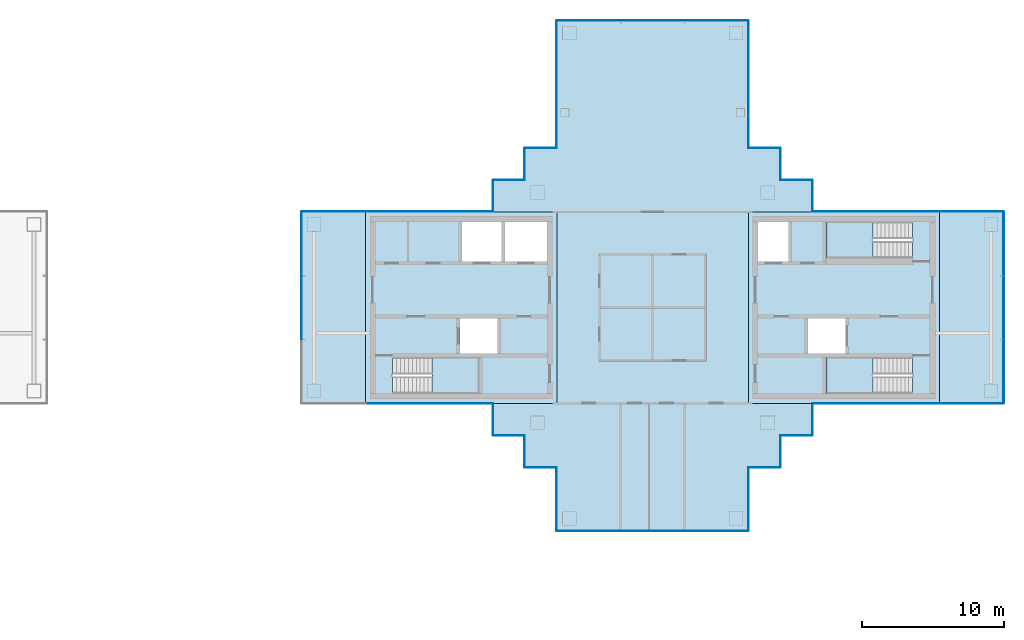
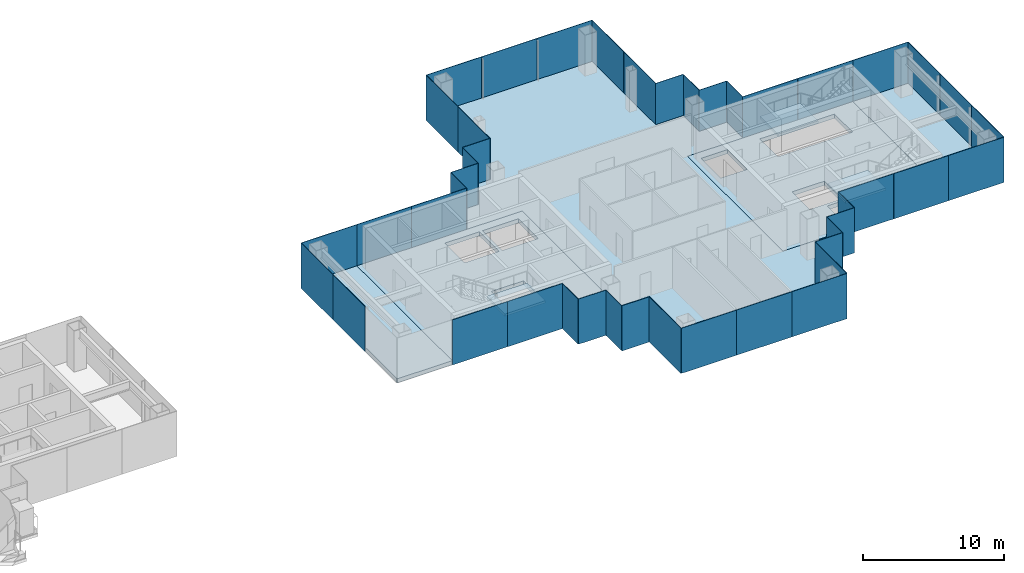
# One storey, part 7 of 15: 44 plates, 8 slabs, 22 elements without a shape of their own.
"""IFC4 building model written with IfcOpenShell, lengths in metres."""

from ifc_helpers import new_model, si_unit, direction, frame, origin, origin_2d, place, context, subcontext, project, spatial, polyline, rectangle, outline, extrude, material, layer, layer_set, type_object, element, aggregate, save


model = new_model("IFC4")

# Units and contexts
model_context = context("Model", 3, precision=1e-05, world=origin(), true_north=direction((0.0, 1.0)))
body_context = subcontext(model_context, "Body", "Model", "MODEL_VIEW")
ifc_project = project(units=[si_unit("LENGTHUNIT", "METRE"), si_unit("AREAUNIT", "SQUARE_METRE"), si_unit("VOLUMEUNIT", "CUBIC_METRE"), si_unit("PLANEANGLEUNIT", "RADIAN"), si_unit("MASSUNIT", "GRAM", prefix="KILO")], contexts=[model_context])

# Site, building, storey
site_placement = place(None, origin())
site = spatial("IfcSite", under=ifc_project, at=site_placement, CompositionType="ELEMENT")
building_placement = place(site_placement, origin())
building = spatial("IfcBuilding", under=site, at=building_placement, Name="Shamsa Quay Exchange Towers", CompositionType="ELEMENT")
storey_placement = place(building_placement, frame((0.0, 0.0, 206.10009765625)))
storey = spatial("IfcBuildingStorey", under=building, at=storey_placement, Name="L49", CompositionType="ELEMENT", Elevation=206.10009765625)

# Slabs
ifc_material_1 = material(Name="Concrete C50/60", Category="concrete")
ifc_layer_1 = layer(ifc_material_1, 0.35009765625)
ifc_layer_set_1 = layer_set([ifc_layer_1], Name="CORE FLOOR 350 C50/60")
slab_type_1 = type_object("IfcSlabType", Name="CORE FLOOR 350 C50/60", PredefinedType="FLOOR", material=ifc_layer_set_1)
slab_1_placement = place(storey_placement, frame((0.0, 0.0, -0.35009765625)))
element("IfcSlab", 1, at=slab_1_placement, inside=storey, type_object=slab_type_1, Name="Core floor T2A", PredefinedType="FLOOR", context=body_context, shape_type="SweptSolid", body=[
    extrude(outline(polyline([(13.5, -6.75), (27.0, -6.75), (27.0, 6.75), (13.5, 6.75), (13.5, -6.75)]), holes=[polyline([(15.400634765625, -6.050048828125), (15.400634765625, -3.5), (21.5, -3.5), (21.5, -6.050048828125), (15.400634765625, -6.050048828125)]), polyline([(20.300048828125, 3.25), (20.300048828125, 6.050048828125), (23.10009765625, 6.050048828125), (23.10009765625, 3.25), (20.300048828125, 3.25)]), polyline([(23.35009765625, 3.25), (23.35009765625, 6.050048828125), (26.300048828125, 6.050048828125), (26.300048828125, 3.25), (23.35009765625, 3.25)]), polyline([(20.14990234375, -3.25), (20.14990234375, -0.75), (22.800048828125, -0.75), (22.800048828125, -3.25), (20.14990234375, -3.25)])]), origin(), (0.0, 0.0, 1.0), 0.35009765625),
])
slab_2_placement = place(storey_placement, frame((0.0, 0.0, -0.35009765625)))
element("IfcSlab", 2, at=slab_2_placement, inside=storey, type_object=slab_type_1, Name="Core floor T2B", PredefinedType="FLOOR", context=body_context, shape_type="SweptSolid", body=[
    extrude(outline(polyline([(54.0, -6.75), (54.0, 6.75), (40.5, 6.75), (40.5, -6.75), (54.0, -6.75)]), holes=[polyline([(52.099365234375, -3.5), (52.099365234375, -6.050048828125), (46.0, -6.050048828125), (46.0, -3.5), (52.099365234375, -3.5)]), polyline([(52.099365234375, 6.050048828125), (52.099365234375, 3.5), (46.0, 3.5), (46.0, 6.050048828125), (52.099365234375, 6.050048828125)]), polyline([(43.35009765625, 3.25), (41.199951171875, 3.25), (41.199951171875, 6.050048828125), (43.35009765625, 6.050048828125), (43.35009765625, 3.25)]), polyline([(47.35009765625, -3.25), (44.699951171875, -3.25), (44.699951171875, -0.75), (47.35009765625, -0.75), (47.35009765625, -3.25)])]), origin(), (0.0, 0.0, 1.0), 0.35009765625),
])

# Stair, slab
ifc_material_2 = material(Name="Concrete C40/50", Category="concrete")
stair_type = type_object("IfcStairType", Name="EXIT STAIR 22 RISERS 177 MM", PredefinedType="HALF_TURN_STAIR", material=ifc_material_2)
stair_1_placement = place(storey_placement, origin())
stair_1 = element("IfcStair", 3, at=stair_1_placement, inside=storey, type_object=stair_type, Name="L49 Exit stair ST4", PredefinedType="HALF_TURN_STAIR")
ifc_layer_2 = layer(ifc_material_2, 0.199951171875)
ifc_layer_set_2 = layer_set([ifc_layer_2], Name="CORE STAIR LANDING")
slab_type_2 = type_object("IfcSlabType", Name="CORE STAIR LANDING", PredefinedType="LANDING", material=ifc_layer_set_2)
slab_3_placement = place(storey_placement, frame((0.0, 0.0, 1.75)))
slab_3 = element("IfcSlab", 4, at=slab_3_placement, type_object=slab_type_2, Name="ST4 landing 1", PredefinedType="LANDING", context=body_context, shape_type="SweptSolid", body=[
    extrude(outline(polyline([(18.199951171875, -6.050048828125), (21.5, -6.050048828125), (21.5, -3.5), (18.199951171875, -3.5), (18.199951171875, -6.050048828125)])), origin(), (0.0, 0.0, 1.0), 0.199951171875),
])
aggregate(stair_1, [slab_3])

stair_2_placement = place(storey_placement, origin())
stair_2 = element("IfcStair", 5, at=stair_2_placement, inside=storey, type_object=stair_type, Name="L49 Exit stair ST5", PredefinedType="HALF_TURN_STAIR")
slab_4_placement = place(storey_placement, frame((0.0, 0.0, 1.75)))
slab_4 = element("IfcSlab", 6, at=slab_4_placement, type_object=slab_type_2, Name="ST5 landing 1", PredefinedType="LANDING", context=body_context, shape_type="SweptSolid", body=[
    extrude(outline(polyline([(49.300048828125, -3.5), (46.0, -3.5), (46.0, -6.050048828125), (49.300048828125, -6.050048828125), (49.300048828125, -3.5)])), origin(), (0.0, 0.0, 1.0), 0.199951171875),
])
aggregate(stair_2, [slab_4])

stair_3_placement = place(storey_placement, origin())
stair_3 = element("IfcStair", 7, at=stair_3_placement, inside=storey, type_object=stair_type, Name="L49 Exit stair ST6", PredefinedType="HALF_TURN_STAIR")
slab_5_placement = place(storey_placement, frame((0.0, 0.0, 1.75)))
slab_5 = element("IfcSlab", 8, at=slab_5_placement, type_object=slab_type_2, Name="ST6 landing 1", PredefinedType="LANDING", context=body_context, shape_type="SweptSolid", body=[
    extrude(outline(polyline([(49.300048828125, 6.050048828125), (46.0, 6.050048828125), (46.0, 3.5), (49.300048828125, 3.5), (49.300048828125, 6.050048828125)])), origin(), (0.0, 0.0, 1.0), 0.199951171875),
])
aggregate(stair_3, [slab_5])

# Curtain wall, plate
ifc_material_3 = material(Name="Aluminium EN AW-6063 T6, black anodised", Category="aluminium")
ifc_layer_3 = layer(ifc_material_3, 0.280029296875)
ifc_layer_set_3 = layer_set([ifc_layer_3], Name="CW-1 UNITISED VISION GLASS")
curtain_wall_type_1 = type_object("IfcCurtainWallType", Name="CW-1 UNITISED VISION GLASS", PredefinedType="NOTDEFINED", material=ifc_layer_set_3)
curtain_wall_1_placement = place(storey_placement, origin())
curtain_wall_1 = element("IfcCurtainWall", 9, at=curtain_wall_1_placement, inside=storey, type_object=curtain_wall_type_1, Name="CW1 T2-FLK-V-W L49", PredefinedType="NOTDEFINED")
ifc_material_4 = material(Name="Glass, laminated, dark tinted", Category="glass")
ifc_layer_4 = layer(ifc_material_4, 0.0400390625)
ifc_layer_set_4 = layer_set([ifc_layer_4], Name="CW-1 VISION GLASS 40")
plate_type_1 = type_object("IfcPlateType", Name="CW-1 VISION GLASS 40", PredefinedType="CURTAIN_PANEL", material=ifc_layer_set_4)
plate_1_placement = place(storey_placement, frame((56.25, -6.77001953125, -0.35009765625)))
plate_1 = element("IfcPlate", 10, at=plate_1_placement, type_object=plate_type_1, Name="CW1 glass panel", PredefinedType="CURTAIN_PANEL", context=body_context, shape_type="SweptSolid", body=[
    extrude(rectangle(XDim=4.5, YDim=0.0400390625, at=origin_2d()), origin(), (0.0, 0.0, 1.0), 3.89990234375),
])
aggregate(curtain_wall_1, [plate_1])

# Curtain wall, plates
curtain_wall_2_placement = place(storey_placement, origin())
curtain_wall_2 = element("IfcCurtainWall", 11, at=curtain_wall_2_placement, inside=storey, type_object=curtain_wall_type_1, Name="CW1 T2-END-V- L49", PredefinedType="NOTDEFINED")
plate_2_placement = place(storey_placement, frame((58.52001953125, -4.50244140625, -0.35009765625), z_axis=(0.0, 0.0, 1.0), x_axis=(0.0, 1.0, 0.0)))
plate_2 = element("IfcPlate", 12, at=plate_2_placement, type_object=plate_type_1, Name="CW1 glass panel", PredefinedType="CURTAIN_PANEL", context=body_context, shape_type="SweptSolid", body=[
    extrude(rectangle(XDim=4.4951171875, YDim=0.0400390625, at=origin_2d()), origin(), (0.0, 0.0, 1.0), 3.89990234375),
])
plate_3_placement = place(storey_placement, frame((58.52001953125, 0.0, -0.35009765625), z_axis=(0.0, 0.0, 1.0), x_axis=(0.0, 1.0, 0.0)))
plate_3 = element("IfcPlate", 13, at=plate_3_placement, type_object=plate_type_1, Name="CW1 glass panel", PredefinedType="CURTAIN_PANEL", context=body_context, shape_type="SweptSolid", body=[
    extrude(rectangle(XDim=4.489990234375, YDim=0.0400390625, at=origin_2d()), origin(), (0.0, 0.0, 1.0), 3.89990234375),
])
plate_4_placement = place(storey_placement, frame((58.52001953125, 4.50244140625, -0.35009765625), z_axis=(0.0, 0.0, 1.0), x_axis=(0.0, 1.0, 0.0)))
plate_4 = element("IfcPlate", 14, at=plate_4_placement, type_object=plate_type_1, Name="CW1 glass panel", PredefinedType="CURTAIN_PANEL", context=body_context, shape_type="SweptSolid", body=[
    extrude(rectangle(XDim=4.4951171875, YDim=0.0400390625, at=origin_2d()), origin(), (0.0, 0.0, 1.0), 3.89990234375),
])
aggregate(curtain_wall_2, [plate_2, plate_3, plate_4])

# Curtain wall, plate
curtain_wall_3_placement = place(storey_placement, origin())
curtain_wall_3 = element("IfcCurtainWall", 15, at=curtain_wall_3_placement, inside=storey, type_object=curtain_wall_type_1, Name="CW1 T2-FLK-V-E L49", PredefinedType="NOTDEFINED")
plate_5_placement = place(storey_placement, frame((56.25, 6.77001953125, -0.35009765625), z_axis=(0.0, 0.0, 1.0), x_axis=(-1.0, 0.0, 0.0)))
plate_5 = element("IfcPlate", 16, at=plate_5_placement, type_object=plate_type_1, Name="CW1 glass panel", PredefinedType="CURTAIN_PANEL", context=body_context, shape_type="SweptSolid", body=[
    extrude(rectangle(XDim=4.5, YDim=0.0400390625, at=origin_2d()), origin(), (0.0, 0.0, 1.0), 3.89990234375),
])
aggregate(curtain_wall_3, [plate_5])

# Curtain wall, plates
curtain_wall_4_placement = place(storey_placement, origin())
curtain_wall_4 = element("IfcCurtainWall", 17, at=curtain_wall_4_placement, inside=storey, type_object=curtain_wall_type_1, Name="CW1 T2-FLK-U+S L49", PredefinedType="NOTDEFINED")
plate_6_placement = place(storey_placement, frame((40.52001953125, 13.52587890625, -0.35009765625), z_axis=(0.0, 0.0, 1.0), x_axis=(0.0, 1.0, 0.0)))
plate_6 = element("IfcPlate", 18, at=plate_6_placement, type_object=plate_type_1, Name="CW1 glass panel", PredefinedType="CURTAIN_PANEL", context=body_context, shape_type="SweptSolid", body=[
    extrude(rectangle(XDim=4.47607421875, YDim=0.0400390625, at=origin_2d()), origin(), (0.0, 0.0, 1.0), 3.89990234375),
])
plate_7_placement = place(storey_placement, frame((40.52001953125, 18.011962890625, -0.35009765625), z_axis=(0.0, 0.0, 1.0), x_axis=(0.0, 1.0, 0.0)))
plate_7 = element("IfcPlate", 19, at=plate_7_placement, type_object=plate_type_1, Name="CW1 glass panel", PredefinedType="CURTAIN_PANEL", context=body_context, shape_type="SweptSolid", body=[
    extrude(rectangle(XDim=4.47607421875, YDim=0.0400390625, at=origin_2d()), origin(), (0.0, 0.0, 1.0), 3.89990234375),
])
aggregate(curtain_wall_4, [plate_6, plate_7])

curtain_wall_5_placement = place(storey_placement, origin())
curtain_wall_5 = element("IfcCurtainWall", 20, at=curtain_wall_5_placement, inside=storey, type_object=curtain_wall_type_1, Name="CW1 T2-END-U+ L49", PredefinedType="NOTDEFINED")
plate_8_placement = place(storey_placement, frame((38.25244140625, 20.27001953125, -0.35009765625), z_axis=(0.0, 0.0, 1.0), x_axis=(-1.0, 0.0, 0.0)))
plate_8 = element("IfcPlate", 21, at=plate_8_placement, type_object=plate_type_1, Name="CW1 glass panel", PredefinedType="CURTAIN_PANEL", context=body_context, shape_type="SweptSolid", body=[
    extrude(rectangle(XDim=4.4951171875, YDim=0.0400390625, at=origin_2d()), origin(), (0.0, 0.0, 1.0), 3.89990234375),
])
plate_9_placement = place(storey_placement, frame((33.75, 20.27001953125, -0.35009765625), z_axis=(0.0, 0.0, 1.0), x_axis=(-1.0, 0.0, 0.0)))
plate_9 = element("IfcPlate", 22, at=plate_9_placement, type_object=plate_type_1, Name="CW1 glass panel", PredefinedType="CURTAIN_PANEL", context=body_context, shape_type="SweptSolid", body=[
    extrude(rectangle(XDim=4.489990234375, YDim=0.0400390625, at=origin_2d()), origin(), (0.0, 0.0, 1.0), 3.89990234375),
])
plate_10_placement = place(storey_placement, frame((29.24755859375, 20.27001953125, -0.35009765625), z_axis=(0.0, 0.0, 1.0), x_axis=(-1.0, 0.0, 0.0)))
plate_10 = element("IfcPlate", 23, at=plate_10_placement, type_object=plate_type_1, Name="CW1 glass panel", PredefinedType="CURTAIN_PANEL", context=body_context, shape_type="SweptSolid", body=[
    extrude(rectangle(XDim=4.4951171875, YDim=0.0400390625, at=origin_2d()), origin(), (0.0, 0.0, 1.0), 3.89990234375),
])
aggregate(curtain_wall_5, [plate_8, plate_9, plate_10])

curtain_wall_6_placement = place(storey_placement, origin())
curtain_wall_6 = element("IfcCurtainWall", 24, at=curtain_wall_6_placement, inside=storey, type_object=curtain_wall_type_1, Name="CW1 T2-FLK-U+N L49", PredefinedType="NOTDEFINED")
plate_11_placement = place(storey_placement, frame((26.97998046875, 18.00244140625, -0.35009765625), z_axis=(0.0, 0.0, 1.0), x_axis=(0.0, -1.0, 0.0)))
plate_11 = element("IfcPlate", 25, at=plate_11_placement, type_object=plate_type_1, Name="CW1 glass panel", PredefinedType="CURTAIN_PANEL", context=body_context, shape_type="SweptSolid", body=[
    extrude(rectangle(XDim=4.4951171875, YDim=0.0400390625, at=origin_2d()), origin(), (0.0, 0.0, 1.0), 3.89990234375),
])
plate_12_placement = place(storey_placement, frame((26.97998046875, 13.49755859375, -0.35009765625), z_axis=(0.0, 0.0, 1.0), x_axis=(0.0, -1.0, 0.0)))
plate_12 = element("IfcPlate", 26, at=plate_12_placement, type_object=plate_type_1, Name="CW1 glass panel", PredefinedType="CURTAIN_PANEL", context=body_context, shape_type="SweptSolid", body=[
    extrude(rectangle(XDim=4.4951171875, YDim=0.0400390625, at=origin_2d()), origin(), (0.0, 0.0, 1.0), 3.89990234375),
])
aggregate(curtain_wall_6, [plate_11, plate_12])

# Curtain wall, plate
curtain_wall_7_placement = place(storey_placement, origin())
curtain_wall_7 = element("IfcCurtainWall", 27, at=curtain_wall_7_placement, inside=storey, type_object=curtain_wall_type_1, Name="CW1 T2-FLK-V+E L49", PredefinedType="NOTDEFINED")
plate_13_placement = place(storey_placement, frame((11.25, 6.77001953125, -0.35009765625), z_axis=(0.0, 0.0, 1.0), x_axis=(-1.0, 0.0, 0.0)))
plate_13 = element("IfcPlate", 28, at=plate_13_placement, type_object=plate_type_1, Name="CW1 glass panel", PredefinedType="CURTAIN_PANEL", context=body_context, shape_type="SweptSolid", body=[
    extrude(rectangle(XDim=4.5, YDim=0.0400390625, at=origin_2d()), origin(), (0.0, 0.0, 1.0), 3.89990234375),
])
aggregate(curtain_wall_7, [plate_13])

# Curtain wall, plates
curtain_wall_8_placement = place(storey_placement, origin())
curtain_wall_8 = element("IfcCurtainWall", 29, at=curtain_wall_8_placement, inside=storey, type_object=curtain_wall_type_1, Name="CW1 T2-END-V+ L49", PredefinedType="NOTDEFINED")
plate_14_placement = place(storey_placement, frame((8.97998046875, 4.50244140625, -0.35009765625), z_axis=(0.0, 0.0, 1.0), x_axis=(0.0, -1.0, 0.0)))
plate_14 = element("IfcPlate", 30, at=plate_14_placement, type_object=plate_type_1, Name="CW1 glass panel", PredefinedType="CURTAIN_PANEL", context=body_context, shape_type="SweptSolid", body=[
    extrude(rectangle(XDim=4.4951171875, YDim=0.0400390625, at=origin_2d()), origin(), (0.0, 0.0, 1.0), 3.89990234375),
])
plate_15_placement = place(storey_placement, frame((8.97998046875, 0.0, -0.35009765625), z_axis=(0.0, 0.0, 1.0), x_axis=(0.0, -1.0, 0.0)))
plate_15 = element("IfcPlate", 31, at=plate_15_placement, type_object=plate_type_1, Name="CW1 glass panel", PredefinedType="CURTAIN_PANEL", context=body_context, shape_type="SweptSolid", body=[
    extrude(rectangle(XDim=4.489990234375, YDim=0.0400390625, at=origin_2d()), origin(), (0.0, 0.0, 1.0), 3.89990234375),
])
aggregate(curtain_wall_8, [plate_14, plate_15])

# Curtain wall, plate
curtain_wall_9_placement = place(storey_placement, origin())
curtain_wall_9 = element("IfcCurtainWall", 32, at=curtain_wall_9_placement, inside=storey, type_object=curtain_wall_type_1, Name="CW1 T2-FLK-U-N L49", PredefinedType="NOTDEFINED")
plate_16_placement = place(storey_placement, frame((26.97998046875, -13.51904296875, -0.35009765625), z_axis=(0.0, 0.0, 1.0), x_axis=(0.0, -1.0, 0.0)))
plate_16 = element("IfcPlate", 33, at=plate_16_placement, type_object=plate_type_1, Name="CW1 glass panel", PredefinedType="CURTAIN_PANEL", context=body_context, shape_type="SweptSolid", body=[
    extrude(rectangle(XDim=4.4619140625, YDim=0.0400390625, at=origin_2d()), origin(), (0.0, 0.0, 1.0), 3.89990234375),
])
aggregate(curtain_wall_9, [plate_16])

# Curtain wall, plates
curtain_wall_10_placement = place(storey_placement, origin())
curtain_wall_10 = element("IfcCurtainWall", 34, at=curtain_wall_10_placement, inside=storey, type_object=curtain_wall_type_1, Name="CW1 T2-END-U- L49", PredefinedType="NOTDEFINED")
plate_17_placement = place(storey_placement, frame((29.24755859375, -15.77001953125, -0.35009765625)))
plate_17 = element("IfcPlate", 35, at=plate_17_placement, type_object=plate_type_1, Name="CW1 glass panel", PredefinedType="CURTAIN_PANEL", context=body_context, shape_type="SweptSolid", body=[
    extrude(rectangle(XDim=4.4951171875, YDim=0.0400390625, at=origin_2d()), origin(), (0.0, 0.0, 1.0), 3.89990234375),
])
plate_18_placement = place(storey_placement, frame((33.75, -15.77001953125, -0.35009765625)))
plate_18 = element("IfcPlate", 36, at=plate_18_placement, type_object=plate_type_1, Name="CW1 glass panel", PredefinedType="CURTAIN_PANEL", context=body_context, shape_type="SweptSolid", body=[
    extrude(rectangle(XDim=4.489990234375, YDim=0.0400390625, at=origin_2d()), origin(), (0.0, 0.0, 1.0), 3.89990234375),
])
plate_19_placement = place(storey_placement, frame((38.25244140625, -15.77001953125, -0.35009765625)))
plate_19 = element("IfcPlate", 37, at=plate_19_placement, type_object=plate_type_1, Name="CW1 glass panel", PredefinedType="CURTAIN_PANEL", context=body_context, shape_type="SweptSolid", body=[
    extrude(rectangle(XDim=4.4951171875, YDim=0.0400390625, at=origin_2d()), origin(), (0.0, 0.0, 1.0), 3.89990234375),
])
aggregate(curtain_wall_10, [plate_17, plate_18, plate_19])

# Curtain wall, plate
curtain_wall_11_placement = place(storey_placement, origin())
curtain_wall_11 = element("IfcCurtainWall", 38, at=curtain_wall_11_placement, inside=storey, type_object=curtain_wall_type_1, Name="CW1 T2-FLK-U-S L49", PredefinedType="NOTDEFINED")
plate_20_placement = place(storey_placement, frame((40.52001953125, -13.5, -0.35009765625), z_axis=(0.0, 0.0, 1.0), x_axis=(0.0, 1.0, 0.0)))
plate_20 = element("IfcPlate", 39, at=plate_20_placement, type_object=plate_type_1, Name="CW1 glass panel", PredefinedType="CURTAIN_PANEL", context=body_context, shape_type="SweptSolid", body=[
    extrude(rectangle(XDim=4.5, YDim=0.0400390625, at=origin_2d()), origin(), (0.0, 0.0, 1.0), 3.89990234375),
])
aggregate(curtain_wall_11, [plate_20])

# Curtain wall, plates
ifc_layer_5 = layer(ifc_material_3, 0.303955078125)
ifc_layer_set_5 = layer_set([ifc_layer_5], Name="CW-2 UNITISED OPAQUE SPANDREL GLASS")
curtain_wall_type_2 = type_object("IfcCurtainWallType", Name="CW-2 UNITISED OPAQUE SPANDREL GLASS", PredefinedType="NOTDEFINED", material=ifc_layer_set_5)
curtain_wall_12_placement = place(storey_placement, origin())
curtain_wall_12 = element("IfcCurtainWall", 40, at=curtain_wall_12_placement, inside=storey, type_object=curtain_wall_type_2, Name="CW2 T2-FLK-V-W L49", PredefinedType="NOTDEFINED")
ifc_material_5 = material(Name="Glass, laminated, black enamelled opaque", Category="glass")
ifc_layer_6 = layer(ifc_material_5, 0.0439453125)
ifc_layer_set_6 = layer_set([ifc_layer_6], Name="CW-2 SPANDREL GLASS 44")
plate_type_2 = type_object("IfcPlateType", Name="CW-2 SPANDREL GLASS 44", PredefinedType="CURTAIN_PANEL", material=ifc_layer_set_6)
plate_21_placement = place(storey_placement, frame((47.27587890625, -6.77197265625, -0.35009765625)))
plate_21 = element("IfcPlate", 41, at=plate_21_placement, type_object=plate_type_2, Name="CW2 glass panel", PredefinedType="CURTAIN_PANEL", context=body_context, shape_type="SweptSolid", body=[
    extrude(rectangle(XDim=4.47607421875, YDim=0.0439453125, at=origin_2d()), origin(), (0.0, 0.0, 1.0), 3.89990234375),
])
plate_22_placement = place(storey_placement, frame((51.761962890625, -6.77197265625, -0.35009765625)))
plate_22 = element("IfcPlate", 42, at=plate_22_placement, type_object=plate_type_2, Name="CW2 glass panel", PredefinedType="CURTAIN_PANEL", context=body_context, shape_type="SweptSolid", body=[
    extrude(rectangle(XDim=4.47607421875, YDim=0.0439453125, at=origin_2d()), origin(), (0.0, 0.0, 1.0), 3.89990234375),
])
aggregate(curtain_wall_12, [plate_21, plate_22])

curtain_wall_13_placement = place(storey_placement, origin())
curtain_wall_13 = element("IfcCurtainWall", 43, at=curtain_wall_13_placement, inside=storey, type_object=curtain_wall_type_2, Name="CW2 T2-FLK-V-E L49", PredefinedType="NOTDEFINED")
plate_23_placement = place(storey_placement, frame((51.75244140625, 6.77197265625, -0.35009765625), z_axis=(0.0, 0.0, 1.0), x_axis=(-1.0, 0.0, 0.0)))
plate_23 = element("IfcPlate", 44, at=plate_23_placement, type_object=plate_type_2, Name="CW2 glass panel", PredefinedType="CURTAIN_PANEL", context=body_context, shape_type="SweptSolid", body=[
    extrude(rectangle(XDim=4.4951171875, YDim=0.0439453125, at=origin_2d()), origin(), (0.0, 0.0, 1.0), 3.89990234375),
])
plate_24_placement = place(storey_placement, frame((47.24755859375, 6.77197265625, -0.35009765625), z_axis=(0.0, 0.0, 1.0), x_axis=(-1.0, 0.0, 0.0)))
plate_24 = element("IfcPlate", 45, at=plate_24_placement, type_object=plate_type_2, Name="CW2 glass panel", PredefinedType="CURTAIN_PANEL", context=body_context, shape_type="SweptSolid", body=[
    extrude(rectangle(XDim=4.4951171875, YDim=0.0439453125, at=origin_2d()), origin(), (0.0, 0.0, 1.0), 3.89990234375),
])
aggregate(curtain_wall_13, [plate_23, plate_24])

curtain_wall_14_placement = place(storey_placement, origin())
curtain_wall_14 = element("IfcCurtainWall", 46, at=curtain_wall_14_placement, inside=storey, type_object=curtain_wall_type_2, Name="CW2 T2-FLK-V+E L49", PredefinedType="NOTDEFINED")
plate_25_placement = place(storey_placement, frame((20.22412109375, 6.77197265625, -0.35009765625), z_axis=(0.0, 0.0, 1.0), x_axis=(-1.0, 0.0, 0.0)))
plate_25 = element("IfcPlate", 47, at=plate_25_placement, type_object=plate_type_2, Name="CW2 glass panel", PredefinedType="CURTAIN_PANEL", context=body_context, shape_type="SweptSolid", body=[
    extrude(rectangle(XDim=4.47607421875, YDim=0.0439453125, at=origin_2d()), origin(), (0.0, 0.0, 1.0), 3.89990234375),
])
plate_26_placement = place(storey_placement, frame((15.738037109375, 6.77197265625, -0.35009765625), z_axis=(0.0, 0.0, 1.0), x_axis=(-1.0, 0.0, 0.0)))
plate_26 = element("IfcPlate", 48, at=plate_26_placement, type_object=plate_type_2, Name="CW2 glass panel", PredefinedType="CURTAIN_PANEL", context=body_context, shape_type="SweptSolid", body=[
    extrude(rectangle(XDim=4.47607421875, YDim=0.0439453125, at=origin_2d()), origin(), (0.0, 0.0, 1.0), 3.89990234375),
])
aggregate(curtain_wall_14, [plate_25, plate_26])

curtain_wall_15_placement = place(storey_placement, origin())
curtain_wall_15 = element("IfcCurtainWall", 49, at=curtain_wall_15_placement, inside=storey, type_object=curtain_wall_type_2, Name="CW2 T2-FLK-V+W L49", PredefinedType="NOTDEFINED")
plate_27_placement = place(storey_placement, frame((15.74755859375, -6.77197265625, -0.35009765625)))
plate_27 = element("IfcPlate", 50, at=plate_27_placement, type_object=plate_type_2, Name="CW2 glass panel", PredefinedType="CURTAIN_PANEL", context=body_context, shape_type="SweptSolid", body=[
    extrude(rectangle(XDim=4.4951171875, YDim=0.0439453125, at=origin_2d()), origin(), (0.0, 0.0, 1.0), 3.89990234375),
])
plate_28_placement = place(storey_placement, frame((20.25244140625, -6.77197265625, -0.35009765625)))
plate_28 = element("IfcPlate", 51, at=plate_28_placement, type_object=plate_type_2, Name="CW2 glass panel", PredefinedType="CURTAIN_PANEL", context=body_context, shape_type="SweptSolid", body=[
    extrude(rectangle(XDim=4.4951171875, YDim=0.0439453125, at=origin_2d()), origin(), (0.0, 0.0, 1.0), 3.89990234375),
])
aggregate(curtain_wall_15, [plate_27, plate_28])

ifc_layer_7 = layer(ifc_material_3, 0.256103515625)
ifc_layer_set_7 = layer_set([ifc_layer_7], Name="CW-4 POCKET SERRATED GLAZING")
curtain_wall_type_3 = type_object("IfcCurtainWallType", Name="CW-4 POCKET SERRATED GLAZING", PredefinedType="NOTDEFINED", material=ifc_layer_set_7)
curtain_wall_16_placement = place(storey_placement, origin())
curtain_wall_16 = element("IfcCurtainWall", 52, at=curtain_wall_16_placement, inside=storey, type_object=curtain_wall_type_3, Name="CW4 PKWS L49", PredefinedType="NOTDEFINED")
ifc_layer_8 = layer(ifc_material_4, 0.035888671875)
ifc_layer_set_8 = layer_set([ifc_layer_8], Name="CW-4 POCKET GLASS 36")
plate_type_3 = type_object("IfcPlateType", Name="CW-4 POCKET GLASS 36", PredefinedType="CURTAIN_PANEL", material=ifc_layer_set_8)
plate_29_placement = place(storey_placement, frame((43.89404296875, -9.01806640625, -0.35009765625)))
plate_29 = element("IfcPlate", 53, at=plate_29_placement, type_object=plate_type_3, Name="CW4 glass panel", PredefinedType="CURTAIN_PANEL", context=body_context, shape_type="SweptSolid", body=[
    extrude(rectangle(XDim=2.2119140625, YDim=0.035888671875, at=origin_2d()), origin(), (0.0, 0.0, 1.0), 3.89990234375),
])
plate_30_placement = place(storey_placement, frame((45.01806640625, -7.875, -0.35009765625), z_axis=(0.0, 0.0, 1.0), x_axis=(0.0, 1.0, 0.0)))
plate_30 = element("IfcPlate", 54, at=plate_30_placement, type_object=plate_type_3, Name="CW4 glass panel", PredefinedType="CURTAIN_PANEL", context=body_context, shape_type="SweptSolid", body=[
    extrude(rectangle(XDim=2.25, YDim=0.035888671875, at=origin_2d()), origin(), (0.0, 0.0, 1.0), 3.89990234375),
])
plate_31_placement = place(storey_placement, frame((41.64599609375, -11.26806640625, -0.35009765625)))
plate_31 = element("IfcPlate", 55, at=plate_31_placement, type_object=plate_type_3, Name="CW4 glass panel", PredefinedType="CURTAIN_PANEL", context=body_context, shape_type="SweptSolid", body=[
    extrude(rectangle(XDim=2.2080078125, YDim=0.035888671875, at=origin_2d()), origin(), (0.0, 0.0, 1.0), 3.89990234375),
])
plate_32_placement = place(storey_placement, frame((42.76806640625, -10.125, -0.35009765625), z_axis=(0.0, 0.0, 1.0), x_axis=(0.0, 1.0, 0.0)))
plate_32 = element("IfcPlate", 56, at=plate_32_placement, type_object=plate_type_3, Name="CW4 glass panel", PredefinedType="CURTAIN_PANEL", context=body_context, shape_type="SweptSolid", body=[
    extrude(rectangle(XDim=2.25, YDim=0.035888671875, at=origin_2d()), origin(), (0.0, 0.0, 1.0), 3.89990234375),
])
aggregate(curtain_wall_16, [plate_29, plate_30, plate_31, plate_32])

curtain_wall_17_placement = place(storey_placement, origin())
curtain_wall_17 = element("IfcCurtainWall", 57, at=curtain_wall_17_placement, inside=storey, type_object=curtain_wall_type_3, Name="CW4 PKES L49", PredefinedType="NOTDEFINED")
plate_33_placement = place(storey_placement, frame((45.01806640625, 7.89794921875, -0.35009765625), z_axis=(0.0, 0.0, 1.0), x_axis=(0.0, 1.0, 0.0)))
plate_33 = element("IfcPlate", 58, at=plate_33_placement, type_object=plate_type_3, Name="CW4 glass panel", PredefinedType="CURTAIN_PANEL", context=body_context, shape_type="SweptSolid", body=[
    extrude(rectangle(XDim=2.2041015625, YDim=0.035888671875, at=origin_2d()), origin(), (0.0, 0.0, 1.0), 3.89990234375),
])
plate_34_placement = place(storey_placement, frame((43.875, 9.01806640625, -0.35009765625), z_axis=(0.0, 0.0, 1.0), x_axis=(-1.0, 0.0, 0.0)))
plate_34 = element("IfcPlate", 59, at=plate_34_placement, type_object=plate_type_3, Name="CW4 glass panel", PredefinedType="CURTAIN_PANEL", context=body_context, shape_type="SweptSolid", body=[
    extrude(rectangle(XDim=2.25, YDim=0.035888671875, at=origin_2d()), origin(), (0.0, 0.0, 1.0), 3.89990234375),
])
plate_35_placement = place(storey_placement, frame((42.76806640625, 10.14404296875, -0.35009765625), z_axis=(0.0, 0.0, 1.0), x_axis=(0.0, 1.0, 0.0)))
plate_35 = element("IfcPlate", 60, at=plate_35_placement, type_object=plate_type_3, Name="CW4 glass panel", PredefinedType="CURTAIN_PANEL", context=body_context, shape_type="SweptSolid", body=[
    extrude(rectangle(XDim=2.2119140625, YDim=0.035888671875, at=origin_2d()), origin(), (0.0, 0.0, 1.0), 3.89990234375),
])
plate_36_placement = place(storey_placement, frame((41.625, 11.26806640625, -0.35009765625), z_axis=(0.0, 0.0, 1.0), x_axis=(-1.0, 0.0, 0.0)))
plate_36 = element("IfcPlate", 61, at=plate_36_placement, type_object=plate_type_3, Name="CW4 glass panel", PredefinedType="CURTAIN_PANEL", context=body_context, shape_type="SweptSolid", body=[
    extrude(rectangle(XDim=2.25, YDim=0.035888671875, at=origin_2d()), origin(), (0.0, 0.0, 1.0), 3.89990234375),
])
aggregate(curtain_wall_17, [plate_33, plate_34, plate_35, plate_36])

curtain_wall_18_placement = place(storey_placement, origin())
curtain_wall_18 = element("IfcCurtainWall", 62, at=curtain_wall_18_placement, inside=storey, type_object=curtain_wall_type_3, Name="CW4 PKEN L49", PredefinedType="NOTDEFINED")
plate_37_placement = place(storey_placement, frame((25.85400390625, 11.26806640625, -0.35009765625), z_axis=(0.0, 0.0, 1.0), x_axis=(-1.0, 0.0, 0.0)))
plate_37 = element("IfcPlate", 63, at=plate_37_placement, type_object=plate_type_3, Name="CW4 glass panel", PredefinedType="CURTAIN_PANEL", context=body_context, shape_type="SweptSolid", body=[
    extrude(rectangle(XDim=2.2080078125, YDim=0.035888671875, at=origin_2d()), origin(), (0.0, 0.0, 1.0), 3.89990234375),
])
plate_38_placement = place(storey_placement, frame((24.73193359375, 10.125, -0.35009765625), z_axis=(0.0, 0.0, 1.0), x_axis=(0.0, -1.0, 0.0)))
plate_38 = element("IfcPlate", 64, at=plate_38_placement, type_object=plate_type_3, Name="CW4 glass panel", PredefinedType="CURTAIN_PANEL", context=body_context, shape_type="SweptSolid", body=[
    extrude(rectangle(XDim=2.25, YDim=0.035888671875, at=origin_2d()), origin(), (0.0, 0.0, 1.0), 3.89990234375),
])
plate_39_placement = place(storey_placement, frame((23.60595703125, 9.01806640625, -0.35009765625), z_axis=(0.0, 0.0, 1.0), x_axis=(-1.0, 0.0, 0.0)))
plate_39 = element("IfcPlate", 65, at=plate_39_placement, type_object=plate_type_3, Name="CW4 glass panel", PredefinedType="CURTAIN_PANEL", context=body_context, shape_type="SweptSolid", body=[
    extrude(rectangle(XDim=2.2119140625, YDim=0.035888671875, at=origin_2d()), origin(), (0.0, 0.0, 1.0), 3.89990234375),
])
plate_40_placement = place(storey_placement, frame((22.48193359375, 7.875, -0.35009765625), z_axis=(0.0, 0.0, 1.0), x_axis=(0.0, -1.0, 0.0)))
plate_40 = element("IfcPlate", 66, at=plate_40_placement, type_object=plate_type_3, Name="CW4 glass panel", PredefinedType="CURTAIN_PANEL", context=body_context, shape_type="SweptSolid", body=[
    extrude(rectangle(XDim=2.25, YDim=0.035888671875, at=origin_2d()), origin(), (0.0, 0.0, 1.0), 3.89990234375),
])
aggregate(curtain_wall_18, [plate_37, plate_38, plate_39, plate_40])

curtain_wall_19_placement = place(storey_placement, origin())
curtain_wall_19 = element("IfcCurtainWall", 67, at=curtain_wall_19_placement, inside=storey, type_object=curtain_wall_type_3, Name="CW4 PKWN L49", PredefinedType="NOTDEFINED")
plate_41_placement = place(storey_placement, frame((22.48193359375, -7.89794921875, -0.35009765625), z_axis=(0.0, 0.0, 1.0), x_axis=(0.0, -1.0, 0.0)))
plate_41 = element("IfcPlate", 68, at=plate_41_placement, type_object=plate_type_3, Name="CW4 glass panel", PredefinedType="CURTAIN_PANEL", context=body_context, shape_type="SweptSolid", body=[
    extrude(rectangle(XDim=2.2041015625, YDim=0.035888671875, at=origin_2d()), origin(), (0.0, 0.0, 1.0), 3.89990234375),
])
plate_42_placement = place(storey_placement, frame((23.625, -9.01806640625, -0.35009765625)))
plate_42 = element("IfcPlate", 69, at=plate_42_placement, type_object=plate_type_3, Name="CW4 glass panel", PredefinedType="CURTAIN_PANEL", context=body_context, shape_type="SweptSolid", body=[
    extrude(rectangle(XDim=2.25, YDim=0.035888671875, at=origin_2d()), origin(), (0.0, 0.0, 1.0), 3.89990234375),
])
plate_43_placement = place(storey_placement, frame((24.73193359375, -10.14404296875, -0.35009765625), z_axis=(0.0, 0.0, 1.0), x_axis=(0.0, -1.0, 0.0)))
plate_43 = element("IfcPlate", 70, at=plate_43_placement, type_object=plate_type_3, Name="CW4 glass panel", PredefinedType="CURTAIN_PANEL", context=body_context, shape_type="SweptSolid", body=[
    extrude(rectangle(XDim=2.2119140625, YDim=0.035888671875, at=origin_2d()), origin(), (0.0, 0.0, 1.0), 3.89990234375),
])
plate_44_placement = place(storey_placement, frame((25.875, -11.26806640625, -0.35009765625)))
plate_44 = element("IfcPlate", 71, at=plate_44_placement, type_object=plate_type_3, Name="CW4 glass panel", PredefinedType="CURTAIN_PANEL", context=body_context, shape_type="SweptSolid", body=[
    extrude(rectangle(XDim=2.25, YDim=0.035888671875, at=origin_2d()), origin(), (0.0, 0.0, 1.0), 3.89990234375),
])
aggregate(curtain_wall_19, [plate_41, plate_42, plate_43, plate_44])

# Slabs
ifc_layer_9 = layer(ifc_material_2, 0.35009765625)
ifc_layer_set_9 = layer_set([ifc_layer_9], Name="Flat slab 350")
slab_type_3 = type_object("IfcSlabType", Name="Flat slab 350", PredefinedType="FLOOR", material=ifc_layer_set_9)
slab_6_placement = place(storey_placement, frame((0.0, 0.0, -0.35009765625)))
element("IfcSlab", 72, at=slab_6_placement, inside=storey, type_object=slab_type_3, Name="Flat slab T2 L49 4", PredefinedType="FLOOR", context=body_context, shape_type="SweptSolid", body=[
    extrude(outline(polyline([(9.0, -6.75), (13.5, -6.75), (13.5, 6.75), (9.0, 6.75), (9.0, -6.75)])), origin(), (0.0, 0.0, 1.0), 0.35009765625),
])
slab_7_placement = place(storey_placement, frame((0.0, 0.0, -0.35009765625)))
element("IfcSlab", 73, at=slab_7_placement, inside=storey, type_object=slab_type_3, Name="Flat slab T2 L49 5", PredefinedType="FLOOR", context=body_context, shape_type="SweptSolid", body=[
    extrude(outline(polyline([(45.0, -9.0), (45.0, -6.75), (40.5, -6.75), (40.5, 6.75), (45.0, 6.75), (45.0, 9.0), (42.75, 9.0), (42.75, 11.25), (40.5, 11.25), (40.5, 20.25), (27.0, 20.25), (27.0, 11.25), (24.75, 11.25), (24.75, 9.0), (22.5, 9.0), (22.5, 6.75), (27.0, 6.75), (27.0, -6.75), (22.5, -6.75), (22.5, -9.0), (24.75, -9.0), (24.75, -11.25), (27.0, -11.25), (27.0, -15.75), (40.5, -15.75), (40.5, -11.25), (42.75, -11.25), (42.75, -9.0), (45.0, -9.0)])), origin(), (0.0, 0.0, 1.0), 0.35009765625),
])
slab_8_placement = place(storey_placement, frame((0.0, 0.0, -0.35009765625)))
element("IfcSlab", 74, at=slab_8_placement, inside=storey, type_object=slab_type_3, Name="Flat slab T2 L49 6", PredefinedType="FLOOR", context=body_context, shape_type="SweptSolid", body=[
    extrude(outline(polyline([(58.5, 6.75), (54.0, 6.75), (54.0, -6.75), (58.5, -6.75), (58.5, 6.75)])), origin(), (0.0, 0.0, 1.0), 0.35009765625),
])

save(model, "model.ifc")
